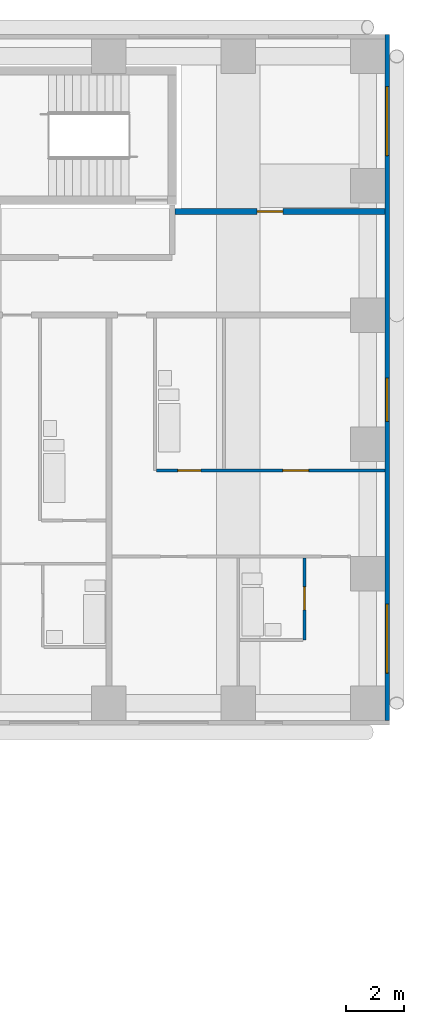
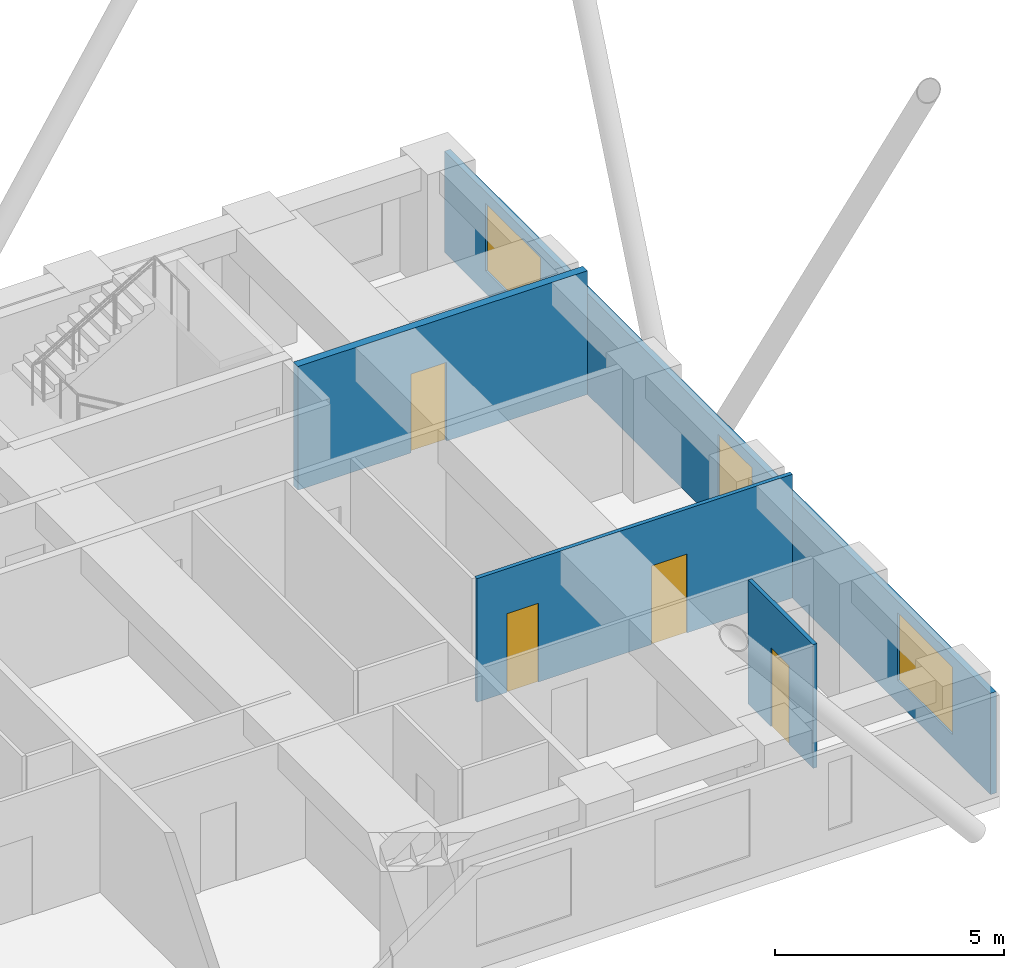
# One storey, part 10 of 13: 4 doors, 4 walls, 3 windows, 7 openings.
"""IFC4 building model written with IfcOpenShell, lengths in metres."""

from ifc_helpers import new_model, si_unit, direction, frame, frame_2d, origin, place, context, subcontext, project, spatial, rectangle, extrude, material, layer, layer_set, type_object, element, fill, save


model = new_model("IFC4")

# Units and contexts
model_context = context("Model", 3, precision=1e-05, world=origin(), true_north=direction((0.0, 1.0)))
body_context = subcontext(model_context, "Body", "Model", "MODEL_VIEW")
ifc_project = project(units=[si_unit("LENGTHUNIT", "METRE"), si_unit("AREAUNIT", "SQUARE_METRE"), si_unit("VOLUMEUNIT", "CUBIC_METRE"), si_unit("PLANEANGLEUNIT", "RADIAN"), si_unit("MASSUNIT", "GRAM", prefix="KILO")], contexts=[model_context])

# Site, building, storey
site_placement = place(None, origin())
site = spatial("IfcSite", under=ifc_project, at=site_placement, CompositionType="ELEMENT")
building_placement = place(site_placement, origin())
building = spatial("IfcBuilding", under=site, at=building_placement, Name="Firuza Court", CompositionType="ELEMENT")
storey_placement = place(building_placement, frame((0.0, 0.0, 72.199951171875)))
storey = spatial("IfcBuildingStorey", under=building, at=storey_placement, Name="L17", CompositionType="ELEMENT", Elevation=72.199951171875)

# Wall, opening, door
ifc_material_1 = material(Name="Moisture-resistant gypsum board partition")
ifc_layer_1 = layer(ifc_material_1, 0.10009765625)
ifc_layer_set_1 = layer_set([ifc_layer_1], Name="Moisture-resistant gypsum board partition")
wall_type_1 = type_object("IfcWallType", Name="Bathroom partition 100", PredefinedType="PLUMBINGWALL", material=ifc_layer_set_1)
wall_1_placement = place(storey_placement, frame((65.300048828125, 38.199951171875, 0.0), z_axis=(0.0, 0.0, 1.0), x_axis=(0.0, 1.0, 0.0)))
wall_1 = element("IfcWall", 1, at=wall_1_placement, inside=storey, type_object=wall_type_1, Name="Bathroom partition 100 L17", PredefinedType="PLUMBINGWALL", context=body_context, shape_type="SweptSolid", body=[
    extrude(rectangle(XDim=2.85009765625, YDim=0.10009765625, at=frame_2d((1.425048828125, 0.0))), origin(), (0.0, 0.0, 1.0), 3.300048828125),
])
opening_1_placement = place(wall_1_placement, frame((1.050048828125, 0.0, 0.0)))
opening_1 = element("IfcOpeningElement", 2, at=opening_1_placement, cuts=wall_1, Name="Opening D17045", PredefinedType="OPENING", context=body_context, shape_type="SweptSolid", body=[
    extrude(rectangle(XDim=0.800048828125, YDim=2.10009765625, at=frame_2d((0.39990234375, 1.050048828125))), frame((0.0, 0.06201171875, 0.0), z_axis=(0.0, -1.0, 0.0), x_axis=(1.0, 0.0, 0.0)), (0.0, 0.0, 1.0), 0.1240234375),
])
ifc_material_2 = material(Name="Timber door leaf in hardwood frame", Category="wood")
door_type_1 = type_object("IfcDoorType", Name="Bathroom door 800", OperationType="SINGLE_SWING_LEFT", PredefinedType="DOOR", material=ifc_material_2)
door_1_placement = place(opening_1_placement, origin())
door_1 = element("IfcDoor", 3, at=door_1_placement, inside=storey, type_object=door_type_1, Name="En-suite door", OperationType="SINGLE_SWING_LEFT", OverallHeight=2.10009765625, OverallWidth=0.800048828125, PredefinedType="DOOR", context=body_context, shape_type="SweptSolid", body=[
    extrude(rectangle(XDim=0.800048828125, YDim=2.10009765625, at=frame_2d((0.39990234375, 1.050048828125))), frame((0.0, 0.02490234375, 0.0), z_axis=(0.0, -1.0, 0.0), x_axis=(1.0, 0.0, 0.0)), (0.0, 0.0, 1.0), 0.050048828125),
])
fill(opening_1, door_1)

ifc_material_3 = material(Name="Blockwork, plastered both sides", Category="masonry")
ifc_layer_2 = layer(ifc_material_3, 0.199951171875)
ifc_layer_set_2 = layer_set([ifc_layer_2], Name="Blockwork, plastered both sides")
wall_type_2 = type_object("IfcWallType", Name="Corridor wall 200", PredefinedType="PARTITIONING", material=ifc_layer_set_2)
wall_2_placement = place(storey_placement, frame((60.800048828125, 53.10009765625, 0.0), z_axis=(0.0, 0.0, 1.0), x_axis=(1.0, 0.0, 0.0)))
wall_2 = element("IfcWall", 4, at=wall_2_placement, inside=storey, type_object=wall_type_2, Name="Corridor wall 200 L17", PredefinedType="PARTITIONING", context=body_context, shape_type="SweptSolid", body=[
    extrude(rectangle(XDim=7.300048828125, YDim=0.199951171875, at=frame_2d((3.64990234375, 0.0))), origin(), (0.0, 0.0, 1.0), 3.300048828125),
])
opening_2_placement = place(wall_2_placement, frame((2.85009765625, 0.0, 0.0)))
opening_2 = element("IfcOpeningElement", 5, at=opening_2_placement, cuts=wall_2, Name="Opening D17079", PredefinedType="OPENING", context=body_context, shape_type="SweptSolid", body=[
    extrude(rectangle(XDim=0.89990234375, YDim=2.10009765625, at=frame_2d((0.449951171875, 1.050048828125))), frame((0.0, 0.11181640625, 0.0), z_axis=(0.0, -1.0, 0.0), x_axis=(1.0, 0.0, 0.0)), (0.0, 0.0, 1.0), 0.223876953125),
])
ifc_material_4 = material(Name="Timber door leaf in hardwood frame", Category="wood")
door_type_2 = type_object("IfcDoorType", Name="Room door 900 EI 30", OperationType="SINGLE_SWING_LEFT", PredefinedType="DOOR", material=ifc_material_4)
door_2_placement = place(opening_2_placement, origin())
door_2 = element("IfcDoor", 6, at=door_2_placement, inside=storey, type_object=door_type_2, Name="Meeting room door", OperationType="SINGLE_SWING_LEFT", OverallHeight=2.10009765625, OverallWidth=0.89990234375, PredefinedType="DOOR", context=body_context, shape_type="SweptSolid", body=[
    extrude(rectangle(XDim=0.89990234375, YDim=2.10009765625, at=frame_2d((0.449951171875, 1.050048828125))), frame((0.0, 0.02490234375, 0.0), z_axis=(0.0, -1.0, 0.0), x_axis=(1.0, 0.0, 0.0)), (0.0, 0.0, 1.0), 0.050048828125),
])
fill(opening_2, door_2)

# Wall, openings, doors
ifc_material_5 = material(Name="Timber stud partition, plasterboard both sides", Category="wood")
ifc_layer_3 = layer(ifc_material_5, 0.10009765625)
ifc_layer_set_3 = layer_set([ifc_layer_3], Name="Timber stud partition, plasterboard both sides")
wall_type_3 = type_object("IfcWallType", Name="Partition wall 100", PredefinedType="PARTITIONING", material=ifc_layer_set_3)
wall_3_placement = place(storey_placement, frame((60.14990234375, 44.10009765625, 0.0), z_axis=(0.0, 0.0, 1.0), x_axis=(1.0, 0.0, 0.0)))
wall_3 = element("IfcWall", 7, at=wall_3_placement, inside=storey, type_object=wall_type_3, Name="Partition wall 100 L17", PredefinedType="PARTITIONING", context=body_context, shape_type="SweptSolid", body=[
    extrude(rectangle(XDim=7.9501953125, YDim=0.10009765625, at=frame_2d((3.97509765625, 0.0))), origin(), (0.0, 0.0, 1.0), 3.300048828125),
])
opening_3_placement = place(wall_3_placement, frame((0.75, 0.0, 0.0)))
opening_3 = element("IfcOpeningElement", 8, at=opening_3_placement, cuts=wall_3, Name="Opening D17067", PredefinedType="OPENING", context=body_context, shape_type="SweptSolid", body=[
    extrude(rectangle(XDim=0.800048828125, YDim=2.10009765625, at=frame_2d((0.39990234375, 1.050048828125))), frame((0.0, 0.06201171875, 0.0), z_axis=(0.0, -1.0, 0.0), x_axis=(1.0, 0.0, 0.0)), (0.0, 0.0, 1.0), 0.1240234375),
])
opening_4_placement = place(wall_3_placement, frame((4.39990234375, 0.0, 0.0)))
opening_4 = element("IfcOpeningElement", 9, at=opening_4_placement, cuts=wall_3, Name="Opening D17068", PredefinedType="OPENING", context=body_context, shape_type="SweptSolid", body=[
    extrude(rectangle(XDim=0.89990234375, YDim=2.10009765625, at=frame_2d((0.449951171875, 1.050048828125))), frame((0.0, 0.06201171875, 0.0), z_axis=(0.0, -1.0, 0.0), x_axis=(1.0, 0.0, 0.0)), (0.0, 0.0, 1.0), 0.1240234375),
])
door_3_placement = place(opening_3_placement, origin())
door_3 = element("IfcDoor", 10, at=door_3_placement, inside=storey, type_object=door_type_1, Name="Bathroom door", OperationType="SINGLE_SWING_LEFT", OverallHeight=2.10009765625, OverallWidth=0.800048828125, PredefinedType="DOOR", context=body_context, shape_type="SweptSolid", body=[
    extrude(rectangle(XDim=0.800048828125, YDim=2.10009765625, at=frame_2d((0.39990234375, 1.050048828125))), frame((0.0, 0.02490234375, 0.0), z_axis=(0.0, -1.0, 0.0), x_axis=(1.0, 0.0, 0.0)), (0.0, 0.0, 1.0), 0.050048828125),
])
fill(opening_3, door_3)
ifc_material_6 = material(Name="Timber door leaf in hardwood frame", Category="wood")
door_type_3 = type_object("IfcDoorType", Name="Room door 900", OperationType="SINGLE_SWING_LEFT", PredefinedType="DOOR", material=ifc_material_6)
door_4_placement = place(opening_4_placement, origin())
door_4 = element("IfcDoor", 11, at=door_4_placement, inside=storey, type_object=door_type_3, Name="Kitchen door", OperationType="SINGLE_SWING_LEFT", OverallHeight=2.10009765625, OverallWidth=0.89990234375, PredefinedType="DOOR", context=body_context, shape_type="SweptSolid", body=[
    extrude(rectangle(XDim=0.89990234375, YDim=2.10009765625, at=frame_2d((0.449951171875, 1.050048828125))), frame((0.0, 0.02490234375, 0.0), z_axis=(0.0, -1.0, 0.0), x_axis=(1.0, 0.0, 0.0)), (0.0, 0.0, 1.0), 0.050048828125),
])
fill(opening_4, door_4)

# Wall, openings, windows
ifc_material_7 = material(Name="Ceramic tile", Category="ceramic")
ifc_layer_4 = layer(ifc_material_7, 0.02001953125)
ifc_material_8 = material(Name="Mineral wool insulation", Category="insulation")
ifc_layer_5 = layer(ifc_material_8, 0.050048828125)
ifc_material_9 = material(Name="Concrete C40/50 precast", Category="concrete")
ifc_layer_6 = layer(ifc_material_9, 0.080078125)
ifc_layer_set_4 = layer_set([ifc_layer_4, ifc_layer_5, ifc_layer_6], Name="Concrete C40/50 precast")
wall_type_4 = type_object("IfcWallType", Name="Precast cladding wall with turquoise TILE PANEL face 150", PredefinedType="STANDARD", material=ifc_layer_set_4)
wall_4_placement = place(storey_placement, frame((68.175048828125, 35.39990234375, 0.0), z_axis=(0.0, 0.0, 1.0), x_axis=(0.0, 1.0, 0.0)))
wall_4 = element("IfcWall", 12, at=wall_4_placement, inside=storey, type_object=wall_type_4, Name="Facade wall L17 E", PredefinedType="STANDARD", context=body_context, shape_type="SweptSolid", body=[
    extrude(rectangle(XDim=23.85009765625, YDim=0.14990234375, at=frame_2d((11.925048828125, 0.0))), origin(), (0.0, 0.0, 1.0), 2.699951171875),
])
opening_5_placement = place(wall_4_placement, frame((1.64990234375, 0.0, 0.60009765625)))
opening_5 = element("IfcOpeningElement", 13, at=opening_5_placement, cuts=wall_4, Name="Opening W1", PredefinedType="OPENING", context=body_context, shape_type="SweptSolid", body=[
    extrude(rectangle(XDim=2.39990234375, YDim=1.800048828125, at=frame_2d((1.199951171875, 0.89990234375))), frame((0.0, 0.0869140625, 0.0), z_axis=(0.0, -1.0, 0.0), x_axis=(1.0, 0.0, 0.0)), (0.0, 0.0, 1.0), 0.173828125),
])
opening_6_placement = place(wall_4_placement, frame((10.4033203125, 0.0, 0.60009765625)))
opening_6 = element("IfcOpeningElement", 14, at=opening_6_placement, cuts=wall_4, Name="Opening W2", PredefinedType="OPENING", context=body_context, shape_type="SweptSolid", body=[
    extrude(rectangle(XDim=1.5, YDim=1.800048828125, at=frame_2d((0.75, 0.89990234375))), frame((0.0, 0.0869140625, 0.0), z_axis=(0.0, -1.0, 0.0), x_axis=(1.0, 0.0, 0.0)), (0.0, 0.0, 1.0), 0.173828125),
])
opening_7_placement = place(wall_4_placement, frame((19.64990234375, 0.0, 0.60009765625)))
opening_7 = element("IfcOpeningElement", 15, at=opening_7_placement, cuts=wall_4, Name="Opening W1", PredefinedType="OPENING", context=body_context, shape_type="SweptSolid", body=[
    extrude(rectangle(XDim=2.39990234375, YDim=1.800048828125, at=frame_2d((1.199951171875, 0.89990234375))), frame((0.0, 0.0869140625, 0.0), z_axis=(0.0, -1.0, 0.0), x_axis=(1.0, 0.0, 0.0)), (0.0, 0.0, 1.0), 0.173828125),
])
ifc_material_10 = material(Name="Aluminium frame, triple clear glazing", Category="aluminium")
window_type_1 = type_object("IfcWindowType", Name="Window W1 2400 x 1800", PartitioningType="SINGLE_PANEL", PredefinedType="WINDOW", material=ifc_material_10)
window_1_placement = place(opening_5_placement, origin())
window_1 = element("IfcWindow", 16, at=window_1_placement, inside=storey, type_object=window_type_1, Name="Window L17", OverallHeight=1.800048828125, OverallWidth=2.39990234375, PartitioningType="SINGLE_PANEL", PredefinedType="WINDOW", context=body_context, shape_type="SweptSolid", body=[
    extrude(rectangle(XDim=2.39990234375, YDim=1.800048828125, at=frame_2d((1.199951171875, 0.89990234375))), frame((0.0, 0.030029296875, 0.0), z_axis=(0.0, -1.0, 0.0), x_axis=(1.0, 0.0, 0.0)), (0.0, 0.0, 1.0), 0.06005859375),
])
fill(opening_5, window_1)
window_2_placement = place(opening_7_placement, origin())
window_2 = element("IfcWindow", 17, at=window_2_placement, inside=storey, type_object=window_type_1, Name="Window L17", OverallHeight=1.800048828125, OverallWidth=2.39990234375, PartitioningType="SINGLE_PANEL", PredefinedType="WINDOW", context=body_context, shape_type="SweptSolid", body=[
    extrude(rectangle(XDim=2.39990234375, YDim=1.800048828125, at=frame_2d((1.199951171875, 0.89990234375))), frame((0.0, 0.030029296875, 0.0), z_axis=(0.0, -1.0, 0.0), x_axis=(1.0, 0.0, 0.0)), (0.0, 0.0, 1.0), 0.06005859375),
])
fill(opening_7, window_2)
ifc_material_11 = material(Name="Aluminium frame, triple clear glazing", Category="aluminium")
window_type_2 = type_object("IfcWindowType", Name="Window W2 1500 x 1800", PartitioningType="SINGLE_PANEL", PredefinedType="WINDOW", material=ifc_material_11)
window_3_placement = place(opening_6_placement, origin())
window_3 = element("IfcWindow", 18, at=window_3_placement, inside=storey, type_object=window_type_2, Name="Window L17", OverallHeight=1.800048828125, OverallWidth=1.5, PartitioningType="SINGLE_PANEL", PredefinedType="WINDOW", context=body_context, shape_type="SweptSolid", body=[
    extrude(rectangle(XDim=1.5, YDim=1.800048828125, at=frame_2d((0.75, 0.89990234375))), frame((0.0, 0.030029296875, 0.0), z_axis=(0.0, -1.0, 0.0), x_axis=(1.0, 0.0, 0.0)), (0.0, 0.0, 1.0), 0.06005859375),
])
fill(opening_6, window_3)

save(model, "model.ifc")
